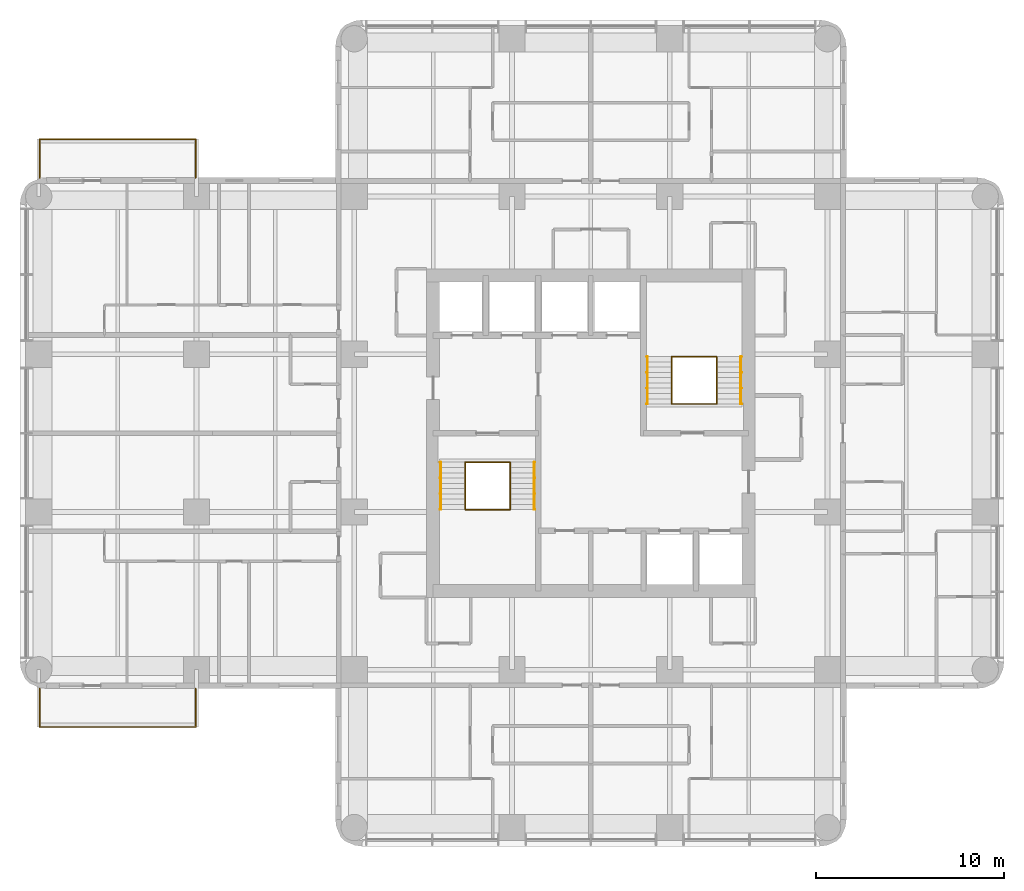
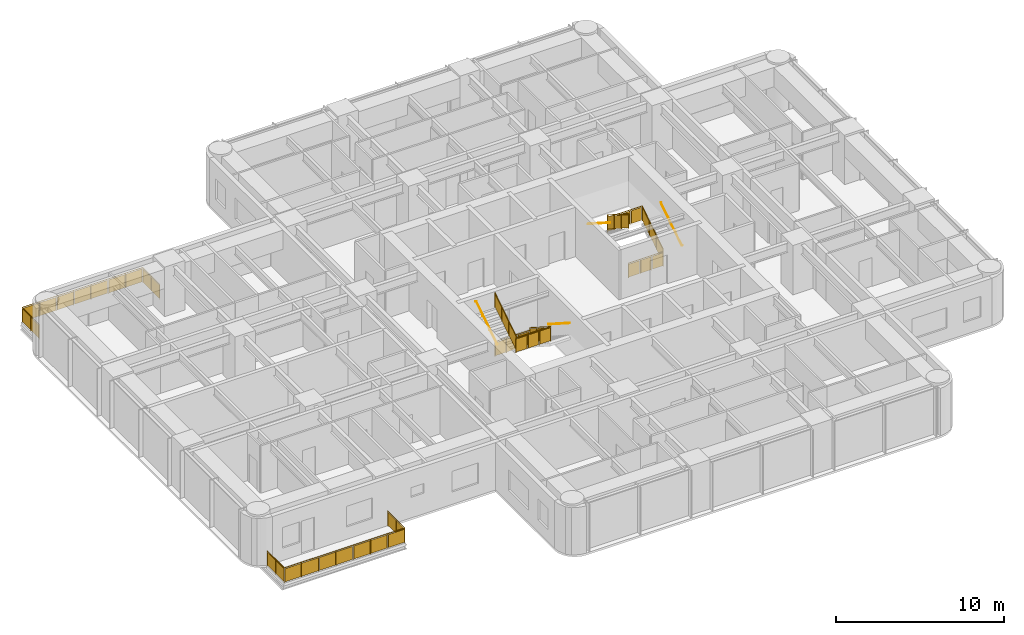
# One storey, part 11 of 11: 14 railings.
"""IFC4 building model written with IfcOpenShell, lengths in metres."""

from ifc_helpers import new_model, si_unit, direction, frame, origin, origin_2d, place, context, subcontext, project, spatial, polyline, circle, outline, extrude, material, constituent, constituent_set, type_object, element, save


model = new_model("IFC4")

# Units and contexts
model_context = context("Model", 3, precision=1e-05, world=origin(), true_north=direction((0.0, 1.0)))
body_context = subcontext(model_context, "Body", "Model", "MODEL_VIEW")
ifc_project = project(units=[si_unit("LENGTHUNIT", "METRE"), si_unit("AREAUNIT", "SQUARE_METRE"), si_unit("VOLUMEUNIT", "CUBIC_METRE"), si_unit("PLANEANGLEUNIT", "RADIAN"), si_unit("MASSUNIT", "GRAM", prefix="KILO")], contexts=[model_context])

# Site, building, storey
site_placement = place(None, origin())
site = spatial("IfcSite", under=ifc_project, at=site_placement, CompositionType="ELEMENT")
building_placement = place(site_placement, origin())
building = spatial("IfcBuilding", under=site, at=building_placement, Name="Torre Alcanfor", CompositionType="ELEMENT")
storey_placement = place(building_placement, frame((0.0, 0.0, 212.10009765625)))
storey = spatial("IfcBuildingStorey", under=building, at=storey_placement, Name="L55", CompositionType="ELEMENT", Elevation=212.10009765625)

# Railings
ifc_material_1 = material(Name="Laminated safety glass", Category="glass")
ifc_constituent_1 = constituent(ifc_material_1, Name="Infill")
ifc_material_2 = material(Name="Stainless steel ASTM A554 Grade MT 316L tube", Category="steel")
ifc_constituent_2 = constituent(ifc_material_2, Name="Posts and rail")
ifc_constituent_set = constituent_set(constituents=[ifc_constituent_1, ifc_constituent_2], Name="Balcony guard glass 1100")
railing_type_1 = type_object("IfcRailingType", Name="Balcony guard glass 1100", PredefinedType="BALUSTRADE", material=ifc_constituent_set)
railing_1_placement = place(storey_placement, frame((8.35009765625, 15.800048828125, 0.0)))
element("IfcRailing", 1, at=railing_1_placement, inside=storey, type_object=railing_type_1, Name="Balcony guard L55-W1", PredefinedType="BALUSTRADE", context=body_context, shape_type="SweptSolid", body=[
    extrude(circle(Radius=0.02392578125, at=origin_2d()), frame((0.0, 0.0, 1.076171875), z_axis=(0.0, -1.0, 0.0), x_axis=(1.0, 0.0, 0.0)), (0.0, 0.0, 1.0), 2.050048828125),
    extrude(circle(Radius=0.02392578125, at=origin_2d()), frame((0.0, -2.050048828125, 1.076171875), z_axis=(-1.0, 0.0, 0.0), x_axis=(0.0, -1.0, 0.0)), (0.0, 0.0, 1.0), 8.300048828125),
    extrude(circle(Radius=0.02392578125, at=origin_2d()), frame((-8.300048828125, -2.050048828125, 1.076171875), z_axis=(0.0, 1.0, 0.0), x_axis=(-1.0, 0.0, 0.0)), (0.0, 0.0, 1.0), 2.050048828125),
    extrude(circle(Radius=0.02099609375, at=origin_2d()), origin(), (0.0, 0.0, 1.0), 1.052001953125),
    extrude(circle(Radius=0.02099609375, at=origin_2d()), frame((0.0, -1.02490234375, 0.0)), (0.0, 0.0, 1.0), 1.052001953125),
    extrude(circle(Radius=0.02099609375, at=origin_2d()), frame((0.0, -2.050048828125, 0.0)), (0.0, 0.0, 1.0), 1.052001953125),
    extrude(circle(Radius=0.02099609375, at=origin_2d()), frame((-1.185791015625, -2.050048828125, 0.0)), (0.0, 0.0, 1.0), 1.052001953125),
    extrude(circle(Radius=0.02099609375, at=origin_2d()), frame((-2.371337890625, -2.050048828125, 0.0)), (0.0, 0.0, 1.0), 1.052001953125),
    extrude(circle(Radius=0.02099609375, at=origin_2d()), frame((-3.55712890625, -2.050048828125, 0.0)), (0.0, 0.0, 1.0), 1.052001953125),
    extrude(circle(Radius=0.02099609375, at=origin_2d()), frame((-4.742919921875, -2.050048828125, 0.0)), (0.0, 0.0, 1.0), 1.052001953125),
    extrude(circle(Radius=0.02099609375, at=origin_2d()), frame((-5.9287109375, -2.050048828125, 0.0)), (0.0, 0.0, 1.0), 1.052001953125),
    extrude(circle(Radius=0.02099609375, at=origin_2d()), frame((-7.1142578125, -2.050048828125, 0.0)), (0.0, 0.0, 1.0), 1.052001953125),
    extrude(circle(Radius=0.02099609375, at=origin_2d()), frame((-8.300048828125, -2.050048828125, 0.0)), (0.0, 0.0, 1.0), 1.052001953125),
    extrude(circle(Radius=0.02099609375, at=origin_2d()), frame((-8.300048828125, -1.02490234375, 0.0)), (0.0, 0.0, 1.0), 1.052001953125),
    extrude(circle(Radius=0.02099609375, at=origin_2d()), frame((-8.300048828125, 0.0, 0.0)), (0.0, 0.0, 1.0), 1.052001953125),
    extrude(outline(polyline([(0.041015625, 0.050048828125), (0.984130859375, 0.050048828125), (0.984130859375, 1.001953125), (0.041015625, 1.001953125), (0.041015625, 0.050048828125)])), frame((0.005859375, 0.0, 0.0), z_axis=(-1.0, 0.0, 0.0), x_axis=(0.0, -1.0, 0.0)), (0.0, 0.0, 1.0), 0.011962890625),
    extrude(outline(polyline([(1.06591796875, 0.050048828125), (2.009033203125, 0.050048828125), (2.009033203125, 1.001953125), (1.06591796875, 1.001953125), (1.06591796875, 0.050048828125)])), frame((0.005859375, 0.0, 0.0), z_axis=(-1.0, 0.0, 0.0), x_axis=(0.0, -1.0, 0.0)), (0.0, 0.0, 1.0), 0.011962890625),
    extrude(outline(polyline([(0.041015625, 0.050048828125), (1.144775390625, 0.050048828125), (1.144775390625, 1.001953125), (0.041015625, 1.001953125), (0.041015625, 0.050048828125)])), frame((0.0, -2.05615234375, 0.0), z_axis=(0.0, 1.0, 0.0), x_axis=(-1.0, 0.0, 0.0)), (0.0, 0.0, 1.0), 0.011962890625),
    extrude(outline(polyline([(1.226806640625, 0.050048828125), (2.330322265625, 0.050048828125), (2.330322265625, 1.001953125), (1.226806640625, 1.001953125), (1.226806640625, 0.050048828125)])), frame((0.0, -2.05615234375, 0.0), z_axis=(0.0, 1.0, 0.0), x_axis=(-1.0, 0.0, 0.0)), (0.0, 0.0, 1.0), 0.011962890625),
    extrude(outline(polyline([(2.412353515625, 0.050048828125), (3.51611328125, 0.050048828125), (3.51611328125, 1.001953125), (2.412353515625, 1.001953125), (2.412353515625, 0.050048828125)])), frame((0.0, -2.05615234375, 0.0), z_axis=(0.0, 1.0, 0.0), x_axis=(-1.0, 0.0, 0.0)), (0.0, 0.0, 1.0), 0.011962890625),
    extrude(outline(polyline([(3.59814453125, 0.050048828125), (4.701904296875, 0.050048828125), (4.701904296875, 1.001953125), (3.59814453125, 1.001953125), (3.59814453125, 0.050048828125)])), frame((0.0, -2.05615234375, 0.0), z_axis=(0.0, 1.0, 0.0), x_axis=(-1.0, 0.0, 0.0)), (0.0, 0.0, 1.0), 0.011962890625),
    extrude(outline(polyline([(4.783935546875, 0.050048828125), (5.8876953125, 0.050048828125), (5.8876953125, 1.001953125), (4.783935546875, 1.001953125), (4.783935546875, 0.050048828125)])), frame((0.0, -2.05615234375, 0.0), z_axis=(0.0, 1.0, 0.0), x_axis=(-1.0, 0.0, 0.0)), (0.0, 0.0, 1.0), 0.011962890625),
    extrude(outline(polyline([(5.9697265625, 0.050048828125), (7.0732421875, 0.050048828125), (7.0732421875, 1.001953125), (5.9697265625, 1.001953125), (5.9697265625, 0.050048828125)])), frame((0.0, -2.05615234375, 0.0), z_axis=(0.0, 1.0, 0.0), x_axis=(-1.0, 0.0, 0.0)), (0.0, 0.0, 1.0), 0.011962890625),
    extrude(outline(polyline([(7.1552734375, 0.050048828125), (8.259033203125, 0.050048828125), (8.259033203125, 1.001953125), (7.1552734375, 1.001953125), (7.1552734375, 0.050048828125)])), frame((0.0, -2.05615234375, 0.0), z_axis=(0.0, 1.0, 0.0), x_axis=(-1.0, 0.0, 0.0)), (0.0, 0.0, 1.0), 0.011962890625),
    extrude(outline(polyline([(0.041015625, 0.050048828125), (0.984130859375, 0.050048828125), (0.984130859375, 1.001953125), (0.041015625, 1.001953125), (0.041015625, 0.050048828125)])), frame((-8.30615234375, -2.050048828125, 0.0), z_axis=(1.0, 0.0, 0.0), x_axis=(0.0, 1.0, 0.0)), (0.0, 0.0, 1.0), 0.011962890625),
    extrude(outline(polyline([(1.06591796875, 0.050048828125), (2.009033203125, 0.050048828125), (2.009033203125, 1.001953125), (1.06591796875, 1.001953125), (1.06591796875, 0.050048828125)])), frame((-8.30615234375, -2.050048828125, 0.0), z_axis=(1.0, 0.0, 0.0), x_axis=(0.0, 1.0, 0.0)), (0.0, 0.0, 1.0), 0.011962890625),
])
railing_2_placement = place(storey_placement, frame((8.35009765625, 43.0, 0.0)))
element("IfcRailing", 2, at=railing_2_placement, inside=storey, type_object=railing_type_1, Name="Balcony guard L55-W2", PredefinedType="BALUSTRADE", context=body_context, shape_type="SweptSolid", body=[
    extrude(circle(Radius=0.02392578125, at=origin_2d()), frame((0.0, 0.0, 1.076171875), z_axis=(0.0, 1.0, 0.0), x_axis=(-1.0, 0.0, 0.0)), (0.0, 0.0, 1.0), 2.050048828125),
    extrude(circle(Radius=0.02392578125, at=origin_2d()), frame((0.0, 2.050048828125, 1.076171875), z_axis=(-1.0, 0.0, 0.0), x_axis=(0.0, -1.0, 0.0)), (0.0, 0.0, 1.0), 8.300048828125),
    extrude(circle(Radius=0.02392578125, at=origin_2d()), frame((-8.300048828125, 2.050048828125, 1.076171875), z_axis=(0.0, -1.0, 0.0), x_axis=(1.0, 0.0, 0.0)), (0.0, 0.0, 1.0), 2.050048828125),
    extrude(circle(Radius=0.02099609375, at=origin_2d()), origin(), (0.0, 0.0, 1.0), 1.052001953125),
    extrude(circle(Radius=0.02099609375, at=origin_2d()), frame((0.0, 1.02490234375, 0.0)), (0.0, 0.0, 1.0), 1.052001953125),
    extrude(circle(Radius=0.02099609375, at=origin_2d()), frame((0.0, 2.050048828125, 0.0)), (0.0, 0.0, 1.0), 1.052001953125),
    extrude(circle(Radius=0.02099609375, at=origin_2d()), frame((-1.185791015625, 2.050048828125, 0.0)), (0.0, 0.0, 1.0), 1.052001953125),
    extrude(circle(Radius=0.02099609375, at=origin_2d()), frame((-2.371337890625, 2.050048828125, 0.0)), (0.0, 0.0, 1.0), 1.052001953125),
    extrude(circle(Radius=0.02099609375, at=origin_2d()), frame((-3.55712890625, 2.050048828125, 0.0)), (0.0, 0.0, 1.0), 1.052001953125),
    extrude(circle(Radius=0.02099609375, at=origin_2d()), frame((-4.742919921875, 2.050048828125, 0.0)), (0.0, 0.0, 1.0), 1.052001953125),
    extrude(circle(Radius=0.02099609375, at=origin_2d()), frame((-5.9287109375, 2.050048828125, 0.0)), (0.0, 0.0, 1.0), 1.052001953125),
    extrude(circle(Radius=0.02099609375, at=origin_2d()), frame((-7.1142578125, 2.050048828125, 0.0)), (0.0, 0.0, 1.0), 1.052001953125),
    extrude(circle(Radius=0.02099609375, at=origin_2d()), frame((-8.300048828125, 2.050048828125, 0.0)), (0.0, 0.0, 1.0), 1.052001953125),
    extrude(circle(Radius=0.02099609375, at=origin_2d()), frame((-8.300048828125, 1.02490234375, 0.0)), (0.0, 0.0, 1.0), 1.052001953125),
    extrude(circle(Radius=0.02099609375, at=origin_2d()), frame((-8.300048828125, 0.0, 0.0)), (0.0, 0.0, 1.0), 1.052001953125),
    extrude(outline(polyline([(0.041015625, 0.050048828125), (0.984130859375, 0.050048828125), (0.984130859375, 1.001953125), (0.041015625, 1.001953125), (0.041015625, 0.050048828125)])), frame((-0.005859375, 0.0, 0.0), z_axis=(1.0, 0.0, 0.0), x_axis=(0.0, 1.0, 0.0)), (0.0, 0.0, 1.0), 0.011962890625),
    extrude(outline(polyline([(1.06591796875, 0.050048828125), (2.009033203125, 0.050048828125), (2.009033203125, 1.001953125), (1.06591796875, 1.001953125), (1.06591796875, 0.050048828125)])), frame((-0.005859375, 0.0, 0.0), z_axis=(1.0, 0.0, 0.0), x_axis=(0.0, 1.0, 0.0)), (0.0, 0.0, 1.0), 0.011962890625),
    extrude(outline(polyline([(0.041015625, 0.050048828125), (1.144775390625, 0.050048828125), (1.144775390625, 1.001953125), (0.041015625, 1.001953125), (0.041015625, 0.050048828125)])), frame((0.0, 2.0439453125, 0.0), z_axis=(0.0, 1.0, 0.0), x_axis=(-1.0, 0.0, 0.0)), (0.0, 0.0, 1.0), 0.011962890625),
    extrude(outline(polyline([(1.226806640625, 0.050048828125), (2.330322265625, 0.050048828125), (2.330322265625, 1.001953125), (1.226806640625, 1.001953125), (1.226806640625, 0.050048828125)])), frame((0.0, 2.0439453125, 0.0), z_axis=(0.0, 1.0, 0.0), x_axis=(-1.0, 0.0, 0.0)), (0.0, 0.0, 1.0), 0.011962890625),
    extrude(outline(polyline([(2.412353515625, 0.050048828125), (3.51611328125, 0.050048828125), (3.51611328125, 1.001953125), (2.412353515625, 1.001953125), (2.412353515625, 0.050048828125)])), frame((0.0, 2.0439453125, 0.0), z_axis=(0.0, 1.0, 0.0), x_axis=(-1.0, 0.0, 0.0)), (0.0, 0.0, 1.0), 0.011962890625),
    extrude(outline(polyline([(3.59814453125, 0.050048828125), (4.701904296875, 0.050048828125), (4.701904296875, 1.001953125), (3.59814453125, 1.001953125), (3.59814453125, 0.050048828125)])), frame((0.0, 2.0439453125, 0.0), z_axis=(0.0, 1.0, 0.0), x_axis=(-1.0, 0.0, 0.0)), (0.0, 0.0, 1.0), 0.011962890625),
    extrude(outline(polyline([(4.783935546875, 0.050048828125), (5.8876953125, 0.050048828125), (5.8876953125, 1.001953125), (4.783935546875, 1.001953125), (4.783935546875, 0.050048828125)])), frame((0.0, 2.0439453125, 0.0), z_axis=(0.0, 1.0, 0.0), x_axis=(-1.0, 0.0, 0.0)), (0.0, 0.0, 1.0), 0.011962890625),
    extrude(outline(polyline([(5.9697265625, 0.050048828125), (7.0732421875, 0.050048828125), (7.0732421875, 1.001953125), (5.9697265625, 1.001953125), (5.9697265625, 0.050048828125)])), frame((0.0, 2.0439453125, 0.0), z_axis=(0.0, 1.0, 0.0), x_axis=(-1.0, 0.0, 0.0)), (0.0, 0.0, 1.0), 0.011962890625),
    extrude(outline(polyline([(7.1552734375, 0.050048828125), (8.259033203125, 0.050048828125), (8.259033203125, 1.001953125), (7.1552734375, 1.001953125), (7.1552734375, 0.050048828125)])), frame((0.0, 2.0439453125, 0.0), z_axis=(0.0, 1.0, 0.0), x_axis=(-1.0, 0.0, 0.0)), (0.0, 0.0, 1.0), 0.011962890625),
    extrude(outline(polyline([(0.041015625, 0.050048828125), (0.984130859375, 0.050048828125), (0.984130859375, 1.001953125), (0.041015625, 1.001953125), (0.041015625, 0.050048828125)])), frame((-8.2939453125, 2.050048828125, 0.0), z_axis=(-1.0, 0.0, 0.0), x_axis=(0.0, -1.0, 0.0)), (0.0, 0.0, 1.0), 0.011962890625),
    extrude(outline(polyline([(1.06591796875, 0.050048828125), (2.009033203125, 0.050048828125), (2.009033203125, 1.001953125), (1.06591796875, 1.001953125), (1.06591796875, 0.050048828125)])), frame((-8.2939453125, 2.050048828125, 0.0), z_axis=(-1.0, 0.0, 0.0), x_axis=(0.0, -1.0, 0.0)), (0.0, 0.0, 1.0), 0.011962890625),
])
ifc_material_3 = material(Name="Steel ASTM A500 Grade C hollow sections", Category="steel")
railing_type_2 = type_object("IfcRailingType", Name="Stair guard and handrail 1100", PredefinedType="GUARDRAIL", material=ifc_material_3)
railing_3_placement = place(storey_placement, frame((25.10009765625, 27.85009765625, 0.179931640625)))
element("IfcRailing", 3, at=railing_3_placement, inside=storey, type_object=railing_type_2, Name="Stair guard S1 L55 flight 1", PredefinedType="GUARDRAIL", context=body_context, shape_type="SweptSolid", body=[
    extrude(circle(Radius=0.02392578125, at=origin_2d()), frame((0.0, 0.0, 1.076171875), z_axis=(0.0, -0.841199657755, 0.540724639528), x_axis=(1.0, 0.0, 0.0)), (0.0, 0.0, 1.0), 2.995849609375),
    extrude(circle(Radius=0.02099609375, at=origin_2d()), origin(), (0.0, 0.0, 1.0), 1.052001953125),
    extrude(circle(Radius=0.02099609375, at=origin_2d()), frame((0.0, -0.840087890625, 0.5400390625)), (0.0, 0.0, 1.0), 1.052001953125),
    extrude(circle(Radius=0.02099609375, at=origin_2d()), frame((0.0, -1.679931640625, 1.079833984375)), (0.0, 0.0, 1.0), 1.052001953125),
    extrude(circle(Radius=0.02099609375, at=origin_2d()), frame((0.0, -2.52001953125, 1.619873046875)), (0.0, 0.0, 1.0), 1.052001953125),
    extrude(outline(polyline([(0.041015625, 0.076416015625), (0.799072265625, 0.563720703125), (0.799072265625, 1.515625), (0.041015625, 1.0283203125), (0.041015625, 0.076416015625)])), frame((0.005859375, 0.0, 0.0), z_axis=(-1.0, 0.0, 0.0), x_axis=(0.0, -1.0, 0.0)), (0.0, 0.0, 1.0), 0.011962890625),
    extrude(outline(polyline([(0.881103515625, 0.6162109375), (1.638916015625, 1.103515625), (1.638916015625, 2.0556640625), (0.881103515625, 1.568359375), (0.881103515625, 0.6162109375)])), frame((0.005859375, 0.0, 0.0), z_axis=(-1.0, 0.0, 0.0), x_axis=(0.0, -1.0, 0.0)), (0.0, 0.0, 1.0), 0.011962890625),
    extrude(outline(polyline([(1.720947265625, 1.15625), (2.47900390625, 1.6435546875), (2.47900390625, 2.595458984375), (1.720947265625, 2.108154296875), (1.720947265625, 1.15625)])), frame((0.005859375, 0.0, 0.0), z_axis=(-1.0, 0.0, 0.0), x_axis=(0.0, -1.0, 0.0)), (0.0, 0.0, 1.0), 0.011962890625),
])
railing_4_placement = place(storey_placement, frame((22.699951171875, 25.330078125, 1.97998046875)))
element("IfcRailing", 4, at=railing_4_placement, inside=storey, type_object=railing_type_2, Name="Stair guard S1 L55 flight 2", PredefinedType="GUARDRAIL", context=body_context, shape_type="SweptSolid", body=[
    extrude(circle(Radius=0.02392578125, at=origin_2d()), frame((0.0, 0.0, 1.076171875), z_axis=(0.0, 0.841199657755, 0.540724639528), x_axis=(-1.0, 0.0, 0.0)), (0.0, 0.0, 1.0), 2.995849609375),
    extrude(circle(Radius=0.02099609375, at=origin_2d()), origin(), (0.0, 0.0, 1.0), 1.052001953125),
    extrude(circle(Radius=0.02099609375, at=origin_2d()), frame((0.0, 0.840087890625, 0.5400390625)), (0.0, 0.0, 1.0), 1.052001953125),
    extrude(circle(Radius=0.02099609375, at=origin_2d()), frame((0.0, 1.679931640625, 1.079833984375)), (0.0, 0.0, 1.0), 1.052001953125),
    extrude(circle(Radius=0.02099609375, at=origin_2d()), frame((0.0, 2.52001953125, 1.619873046875)), (0.0, 0.0, 1.0), 1.052001953125),
    extrude(outline(polyline([(0.041015625, 0.076416015625), (0.799072265625, 0.563720703125), (0.799072265625, 1.515625), (0.041015625, 1.0283203125), (0.041015625, 0.076416015625)])), frame((-0.005859375, 0.0, 0.0), z_axis=(1.0, 0.0, 0.0), x_axis=(0.0, 1.0, 0.0)), (0.0, 0.0, 1.0), 0.011962890625),
    extrude(outline(polyline([(0.881103515625, 0.6162109375), (1.638916015625, 1.103515625), (1.638916015625, 2.0556640625), (0.881103515625, 1.568359375), (0.881103515625, 0.6162109375)])), frame((-0.005859375, 0.0, 0.0), z_axis=(1.0, 0.0, 0.0), x_axis=(0.0, 1.0, 0.0)), (0.0, 0.0, 1.0), 0.011962890625),
    extrude(outline(polyline([(1.720947265625, 1.15625), (2.47900390625, 1.6435546875), (2.47900390625, 2.595458984375), (1.720947265625, 2.108154296875), (1.720947265625, 1.15625)])), frame((-0.005859375, 0.0, 0.0), z_axis=(1.0, 0.0, 0.0), x_axis=(0.0, 1.0, 0.0)), (0.0, 0.0, 1.0), 0.011962890625),
])
for number, where, name in (
    (5, (22.699951171875, 27.85009765625, 0.0), "Stair well guard S1 L55 floor landing"),
    (6, (22.699951171875, 25.330078125, 1.7998046875), "Stair well guard S1 L55 half landing"),
):
    element("IfcRailing", number, at=place(storey_placement, frame(where)), inside=storey, type_object=railing_type_2, Name=name, PredefinedType="GUARDRAIL", context=body_context, shape_type="SweptSolid", body=[
        extrude(circle(Radius=0.02392578125, at=origin_2d()), frame((0.0, 0.0, 1.076171875), z_axis=(1.0, 0.0, 0.0), x_axis=(0.0, 1.0, 0.0)), (0.0, 0.0, 1.0), 2.400146484375),
        extrude(circle(Radius=0.02099609375, at=origin_2d()), origin(), (0.0, 0.0, 1.0), 1.052001953125),
        extrude(circle(Radius=0.02099609375, at=origin_2d()), frame((0.800048828125, 0.0, 0.0)), (0.0, 0.0, 1.0), 1.052001953125),
        extrude(circle(Radius=0.02099609375, at=origin_2d()), frame((1.60009765625, 0.0, 0.0)), (0.0, 0.0, 1.0), 1.052001953125),
        extrude(circle(Radius=0.02099609375, at=origin_2d()), frame((2.400146484375, 0.0, 0.0)), (0.0, 0.0, 1.0), 1.052001953125),
        extrude(outline(polyline([(0.041015625, 0.050048828125), (0.759033203125, 0.050048828125), (0.759033203125, 1.001953125), (0.041015625, 1.001953125), (0.041015625, 0.050048828125)])), frame((0.0, 0.005859375, 0.0), z_axis=(0.0, -1.0, 0.0), x_axis=(1.0, 0.0, 0.0)), (0.0, 0.0, 1.0), 0.011962890625),
        extrude(outline(polyline([(0.841064453125, 0.050048828125), (1.55908203125, 0.050048828125), (1.55908203125, 1.001953125), (0.841064453125, 1.001953125), (0.841064453125, 0.050048828125)])), frame((0.0, 0.005859375, 0.0), z_axis=(0.0, -1.0, 0.0), x_axis=(1.0, 0.0, 0.0)), (0.0, 0.0, 1.0), 0.011962890625),
        extrude(outline(polyline([(1.64111328125, 0.050048828125), (2.359130859375, 0.050048828125), (2.359130859375, 1.001953125), (1.64111328125, 1.001953125), (1.64111328125, 0.050048828125)])), frame((0.0, 0.005859375, 0.0), z_axis=(0.0, -1.0, 0.0), x_axis=(1.0, 0.0, 0.0)), (0.0, 0.0, 1.0), 0.011962890625),
    ])
railing_5_placement = place(storey_placement, frame((36.10009765625, 30.949951171875, 0.179931640625)))
element("IfcRailing", 7, at=railing_5_placement, inside=storey, type_object=railing_type_2, Name="Stair guard S2 L55 flight 1", PredefinedType="GUARDRAIL", context=body_context, shape_type="SweptSolid", body=[
    extrude(circle(Radius=0.02392578125, at=origin_2d()), frame((0.0, 0.0, 1.076171875), z_axis=(0.0, 0.841199657755, 0.540724639528), x_axis=(-1.0, 0.0, 0.0)), (0.0, 0.0, 1.0), 2.995849609375),
    extrude(circle(Radius=0.02099609375, at=origin_2d()), origin(), (0.0, 0.0, 1.0), 1.052001953125),
    extrude(circle(Radius=0.02099609375, at=origin_2d()), frame((0.0, 0.840087890625, 0.5400390625)), (0.0, 0.0, 1.0), 1.052001953125),
    extrude(circle(Radius=0.02099609375, at=origin_2d()), frame((0.0, 1.679931640625, 1.079833984375)), (0.0, 0.0, 1.0), 1.052001953125),
    extrude(circle(Radius=0.02099609375, at=origin_2d()), frame((0.0, 2.52001953125, 1.619873046875)), (0.0, 0.0, 1.0), 1.052001953125),
    extrude(outline(polyline([(0.041015625, 0.076416015625), (0.799072265625, 0.563720703125), (0.799072265625, 1.515625), (0.041015625, 1.0283203125), (0.041015625, 0.076416015625)])), frame((-0.005859375, 0.0, 0.0), z_axis=(1.0, 0.0, 0.0), x_axis=(0.0, 1.0, 0.0)), (0.0, 0.0, 1.0), 0.011962890625),
    extrude(outline(polyline([(0.881103515625, 0.6162109375), (1.638916015625, 1.103515625), (1.638916015625, 2.0556640625), (0.881103515625, 1.568359375), (0.881103515625, 0.6162109375)])), frame((-0.005859375, 0.0, 0.0), z_axis=(1.0, 0.0, 0.0), x_axis=(0.0, 1.0, 0.0)), (0.0, 0.0, 1.0), 0.011962890625),
    extrude(outline(polyline([(1.720947265625, 1.15625), (2.47900390625, 1.6435546875), (2.47900390625, 2.595458984375), (1.720947265625, 2.108154296875), (1.720947265625, 1.15625)])), frame((-0.005859375, 0.0, 0.0), z_axis=(1.0, 0.0, 0.0), x_axis=(0.0, 1.0, 0.0)), (0.0, 0.0, 1.0), 0.011962890625),
])
railing_6_placement = place(storey_placement, frame((33.699951171875, 33.469970703125, 1.97998046875)))
element("IfcRailing", 8, at=railing_6_placement, inside=storey, type_object=railing_type_2, Name="Stair guard S2 L55 flight 2", PredefinedType="GUARDRAIL", context=body_context, shape_type="SweptSolid", body=[
    extrude(circle(Radius=0.02392578125, at=origin_2d()), frame((0.0, 0.0, 1.076171875), z_axis=(0.0, -0.841199657755, 0.540724639528), x_axis=(1.0, 0.0, 0.0)), (0.0, 0.0, 1.0), 2.995849609375),
    extrude(circle(Radius=0.02099609375, at=origin_2d()), origin(), (0.0, 0.0, 1.0), 1.052001953125),
    extrude(circle(Radius=0.02099609375, at=origin_2d()), frame((0.0, -0.840087890625, 0.5400390625)), (0.0, 0.0, 1.0), 1.052001953125),
    extrude(circle(Radius=0.02099609375, at=origin_2d()), frame((0.0, -1.679931640625, 1.079833984375)), (0.0, 0.0, 1.0), 1.052001953125),
    extrude(circle(Radius=0.02099609375, at=origin_2d()), frame((0.0, -2.52001953125, 1.619873046875)), (0.0, 0.0, 1.0), 1.052001953125),
    extrude(outline(polyline([(0.041015625, 0.076416015625), (0.799072265625, 0.563720703125), (0.799072265625, 1.515625), (0.041015625, 1.0283203125), (0.041015625, 0.076416015625)])), frame((0.005859375, 0.0, 0.0), z_axis=(-1.0, 0.0, 0.0), x_axis=(0.0, -1.0, 0.0)), (0.0, 0.0, 1.0), 0.011962890625),
    extrude(outline(polyline([(0.881103515625, 0.6162109375), (1.638916015625, 1.103515625), (1.638916015625, 2.0556640625), (0.881103515625, 1.568359375), (0.881103515625, 0.6162109375)])), frame((0.005859375, 0.0, 0.0), z_axis=(-1.0, 0.0, 0.0), x_axis=(0.0, -1.0, 0.0)), (0.0, 0.0, 1.0), 0.011962890625),
    extrude(outline(polyline([(1.720947265625, 1.15625), (2.47900390625, 1.6435546875), (2.47900390625, 2.595458984375), (1.720947265625, 2.108154296875), (1.720947265625, 1.15625)])), frame((0.005859375, 0.0, 0.0), z_axis=(-1.0, 0.0, 0.0), x_axis=(0.0, -1.0, 0.0)), (0.0, 0.0, 1.0), 0.011962890625),
])
for number, where, name in (
    (9, (33.699951171875, 30.949951171875, 0.0), "Stair well guard S2 L55 floor landing"),
    (10, (33.699951171875, 33.469970703125, 1.7998046875), "Stair well guard S2 L55 half landing"),
):
    element("IfcRailing", number, at=place(storey_placement, frame(where)), inside=storey, type_object=railing_type_2, Name=name, PredefinedType="GUARDRAIL", context=body_context, shape_type="SweptSolid", body=[
        extrude(circle(Radius=0.02392578125, at=origin_2d()), frame((0.0, 0.0, 1.076171875), z_axis=(1.0, 0.0, 0.0), x_axis=(0.0, 1.0, 0.0)), (0.0, 0.0, 1.0), 2.400146484375),
        extrude(circle(Radius=0.02099609375, at=origin_2d()), origin(), (0.0, 0.0, 1.0), 1.052001953125),
        extrude(circle(Radius=0.02099609375, at=origin_2d()), frame((0.800048828125, 0.0, 0.0)), (0.0, 0.0, 1.0), 1.052001953125),
        extrude(circle(Radius=0.02099609375, at=origin_2d()), frame((1.60009765625, 0.0, 0.0)), (0.0, 0.0, 1.0), 1.052001953125),
        extrude(circle(Radius=0.02099609375, at=origin_2d()), frame((2.400146484375, 0.0, 0.0)), (0.0, 0.0, 1.0), 1.052001953125),
        extrude(outline(polyline([(0.041015625, 0.050048828125), (0.759033203125, 0.050048828125), (0.759033203125, 1.001953125), (0.041015625, 1.001953125), (0.041015625, 0.050048828125)])), frame((0.0, 0.005859375, 0.0), z_axis=(0.0, -1.0, 0.0), x_axis=(1.0, 0.0, 0.0)), (0.0, 0.0, 1.0), 0.011962890625),
        extrude(outline(polyline([(0.841064453125, 0.050048828125), (1.55908203125, 0.050048828125), (1.55908203125, 1.001953125), (0.841064453125, 1.001953125), (0.841064453125, 0.050048828125)])), frame((0.0, 0.005859375, 0.0), z_axis=(0.0, -1.0, 0.0), x_axis=(1.0, 0.0, 0.0)), (0.0, 0.0, 1.0), 0.011962890625),
        extrude(outline(polyline([(1.64111328125, 0.050048828125), (2.359130859375, 0.050048828125), (2.359130859375, 1.001953125), (1.64111328125, 1.001953125), (1.64111328125, 0.050048828125)])), frame((0.0, 0.005859375, 0.0), z_axis=(0.0, -1.0, 0.0), x_axis=(1.0, 0.0, 0.0)), (0.0, 0.0, 1.0), 0.011962890625),
    ])
ifc_material_4 = material(Name="Steel ASTM A500 Grade C hollow sections", Category="steel")
railing_type_3 = type_object("IfcRailingType", Name="Stair wall handrail 900", PredefinedType="HANDRAIL", material=ifc_material_4)
railing_7_placement = place(storey_placement, frame((26.385009765625, 27.85009765625, 0.179931640625)))
element("IfcRailing", 11, at=railing_7_placement, inside=storey, type_object=railing_type_3, Name="Stair handrail S1 L55 flight 1", PredefinedType="HANDRAIL", context=body_context, shape_type="SweptSolid", body=[
    extrude(circle(Radius=0.02392578125, at=origin_2d()), frame((0.0, 0.0, 0.8759765625), z_axis=(0.0, -0.841199657755, 0.540724639528), x_axis=(1.0, 0.0, 0.0)), (0.0, 0.0, 1.0), 2.995849609375),
    extrude(circle(Radius=0.008056640625, at=origin_2d()), frame((0.0, 0.0, 0.8759765625), z_axis=(1.0, 0.0, 0.0), x_axis=(0.0, 0.0, 1.0)), (0.0, 0.0, 1.0), 0.06494140625),
    extrude(circle(Radius=0.008056640625, at=origin_2d()), frame((0.0, -0.840087890625, 1.415771484375), z_axis=(1.0, 0.0, 0.0), x_axis=(0.0, 0.0, 1.0)), (0.0, 0.0, 1.0), 0.06494140625),
    extrude(circle(Radius=0.008056640625, at=origin_2d()), frame((0.0, -1.679931640625, 1.955810546875), z_axis=(1.0, 0.0, 0.0), x_axis=(0.0, 0.0, 1.0)), (0.0, 0.0, 1.0), 0.06494140625),
    extrude(circle(Radius=0.008056640625, at=origin_2d()), frame((0.0, -2.52001953125, 2.49560546875), z_axis=(1.0, 0.0, 0.0), x_axis=(0.0, 0.0, 1.0)), (0.0, 0.0, 1.0), 0.06494140625),
])
railing_8_placement = place(storey_placement, frame((21.4150390625, 25.330078125, 1.97998046875)))
element("IfcRailing", 12, at=railing_8_placement, inside=storey, type_object=railing_type_3, Name="Stair handrail S1 L55 flight 2", PredefinedType="HANDRAIL", context=body_context, shape_type="SweptSolid", body=[
    extrude(circle(Radius=0.02392578125, at=origin_2d()), frame((0.0, 0.0, 0.8759765625), z_axis=(0.0, 0.841199657755, 0.540724639528), x_axis=(-1.0, 0.0, 0.0)), (0.0, 0.0, 1.0), 2.995849609375),
    extrude(circle(Radius=0.008056640625, at=origin_2d()), frame((0.0, 0.0, 0.8759765625), z_axis=(-1.0, 0.0, 0.0), x_axis=(0.0, 0.0, 1.0)), (0.0, 0.0, 1.0), 0.06494140625),
    extrude(circle(Radius=0.008056640625, at=origin_2d()), frame((0.0, 0.840087890625, 1.415771484375), z_axis=(-1.0, 0.0, 0.0), x_axis=(0.0, 0.0, 1.0)), (0.0, 0.0, 1.0), 0.06494140625),
    extrude(circle(Radius=0.008056640625, at=origin_2d()), frame((0.0, 1.679931640625, 1.955810546875), z_axis=(-1.0, 0.0, 0.0), x_axis=(0.0, 0.0, 1.0)), (0.0, 0.0, 1.0), 0.06494140625),
    extrude(circle(Radius=0.008056640625, at=origin_2d()), frame((0.0, 2.52001953125, 2.49560546875), z_axis=(-1.0, 0.0, 0.0), x_axis=(0.0, 0.0, 1.0)), (0.0, 0.0, 1.0), 0.06494140625),
])
railing_9_placement = place(storey_placement, frame((37.385009765625, 30.949951171875, 0.179931640625)))
element("IfcRailing", 13, at=railing_9_placement, inside=storey, type_object=railing_type_3, Name="Stair handrail S2 L55 flight 1", PredefinedType="HANDRAIL", context=body_context, shape_type="SweptSolid", body=[
    extrude(circle(Radius=0.02392578125, at=origin_2d()), frame((0.0, 0.0, 0.8759765625), z_axis=(0.0, 0.841199657755, 0.540724639528), x_axis=(-1.0, 0.0, 0.0)), (0.0, 0.0, 1.0), 2.995849609375),
    extrude(circle(Radius=0.008056640625, at=origin_2d()), frame((0.0, 0.0, 0.8759765625), z_axis=(1.0, 0.0, 0.0), x_axis=(0.0, 0.0, 1.0)), (0.0, 0.0, 1.0), 0.06494140625),
    extrude(circle(Radius=0.008056640625, at=origin_2d()), frame((0.0, 0.840087890625, 1.415771484375), z_axis=(1.0, 0.0, 0.0), x_axis=(0.0, 0.0, 1.0)), (0.0, 0.0, 1.0), 0.06494140625),
    extrude(circle(Radius=0.008056640625, at=origin_2d()), frame((0.0, 1.679931640625, 1.955810546875), z_axis=(1.0, 0.0, 0.0), x_axis=(0.0, 0.0, 1.0)), (0.0, 0.0, 1.0), 0.06494140625),
    extrude(circle(Radius=0.008056640625, at=origin_2d()), frame((0.0, 2.52001953125, 2.49560546875), z_axis=(1.0, 0.0, 0.0), x_axis=(0.0, 0.0, 1.0)), (0.0, 0.0, 1.0), 0.06494140625),
])
railing_10_placement = place(storey_placement, frame((32.4150390625, 33.469970703125, 1.97998046875)))
element("IfcRailing", 14, at=railing_10_placement, inside=storey, type_object=railing_type_3, Name="Stair handrail S2 L55 flight 2", PredefinedType="HANDRAIL", context=body_context, shape_type="SweptSolid", body=[
    extrude(circle(Radius=0.02392578125, at=origin_2d()), frame((0.0, 0.0, 0.8759765625), z_axis=(0.0, -0.841199657755, 0.540724639528), x_axis=(1.0, 0.0, 0.0)), (0.0, 0.0, 1.0), 2.995849609375),
    extrude(circle(Radius=0.008056640625, at=origin_2d()), frame((0.0, 0.0, 0.8759765625), z_axis=(-1.0, 0.0, 0.0), x_axis=(0.0, 0.0, 1.0)), (0.0, 0.0, 1.0), 0.06494140625),
    extrude(circle(Radius=0.008056640625, at=origin_2d()), frame((0.0, -0.840087890625, 1.415771484375), z_axis=(-1.0, 0.0, 0.0), x_axis=(0.0, 0.0, 1.0)), (0.0, 0.0, 1.0), 0.06494140625),
    extrude(circle(Radius=0.008056640625, at=origin_2d()), frame((0.0, -1.679931640625, 1.955810546875), z_axis=(-1.0, 0.0, 0.0), x_axis=(0.0, 0.0, 1.0)), (0.0, 0.0, 1.0), 0.06494140625),
    extrude(circle(Radius=0.008056640625, at=origin_2d()), frame((0.0, -2.52001953125, 2.49560546875), z_axis=(-1.0, 0.0, 0.0), x_axis=(0.0, 0.0, 1.0)), (0.0, 0.0, 1.0), 0.06494140625),
])

save(model, "model.ifc")
